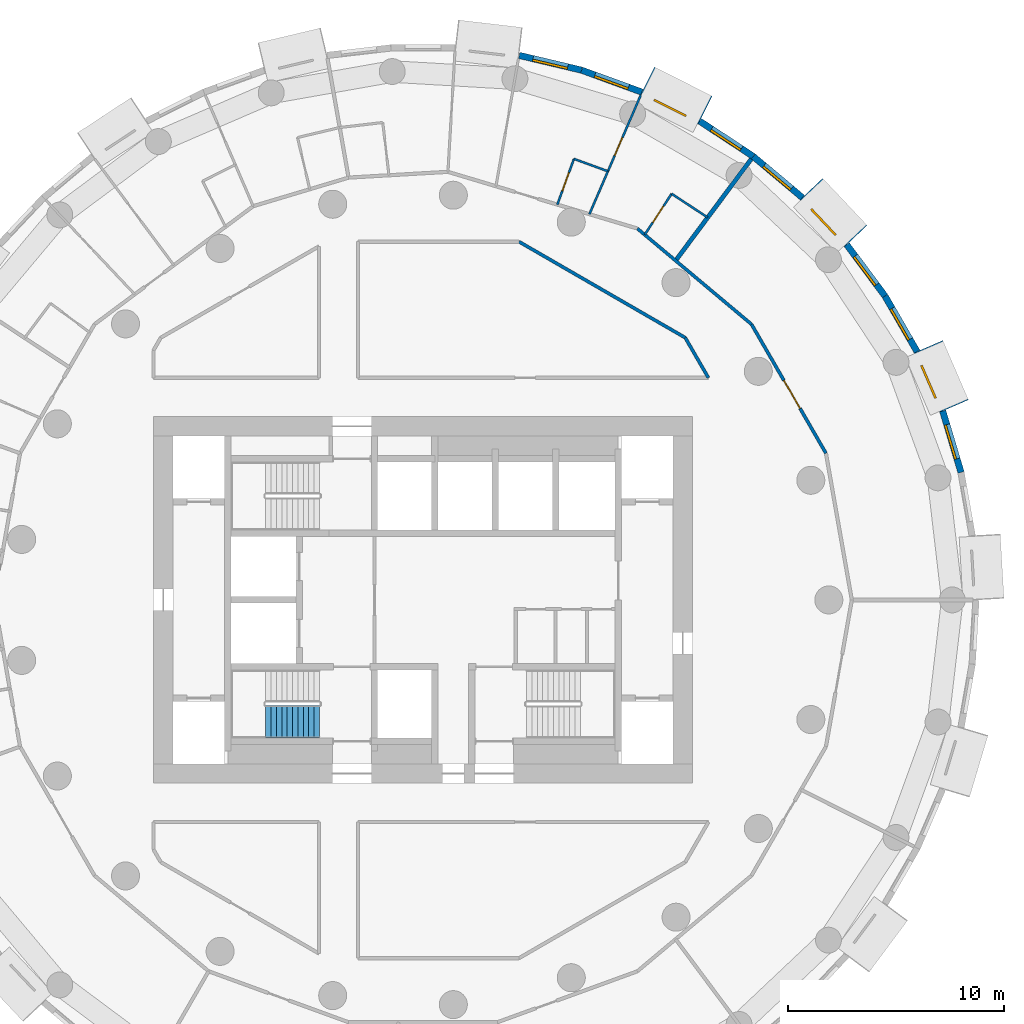
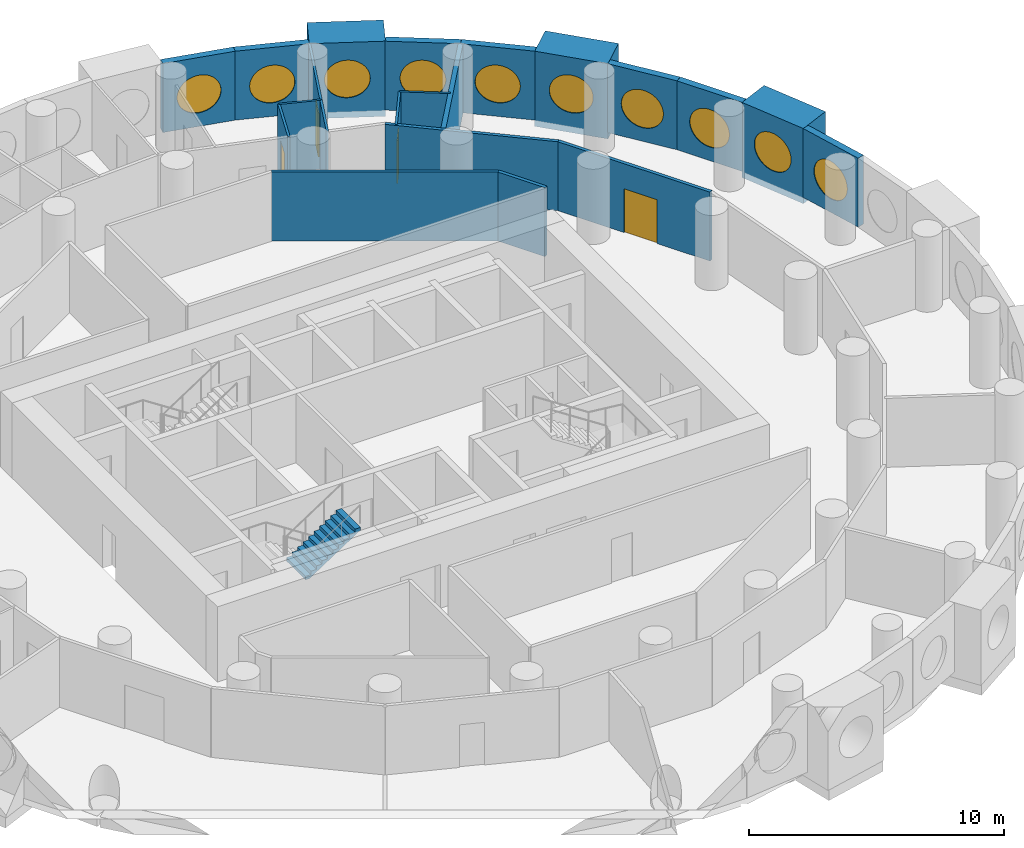
# One storey, part 8 of 10: 21 walls, 10 windows, 4 doors, 1 stair flight, 14 openings, 1 element without a shape of its own.
"""IFC4 building model written with IfcOpenShell, lengths in metres."""

from ifc_helpers import new_model, si_unit, direction, frame, frame_2d, origin, origin_2d, place, context, subcontext, project, spatial, polyline, rectangle, circle, outline, extrude, material, layer, layer_set, type_object, element, fill, aggregate, save


model = new_model("IFC4")

# Units and contexts
model_context = context("Model", 3, precision=1e-05, world=origin(), true_north=direction((0.0, 1.0)))
body_context = subcontext(model_context, "Body", "Model", "MODEL_VIEW")
ifc_project = project(units=[si_unit("LENGTHUNIT", "METRE"), si_unit("AREAUNIT", "SQUARE_METRE"), si_unit("VOLUMEUNIT", "CUBIC_METRE"), si_unit("PLANEANGLEUNIT", "RADIAN"), si_unit("MASSUNIT", "GRAM", prefix="KILO")], contexts=[model_context])

# Site, building, storey
site_placement = place(None, origin())
site = spatial("IfcSite", under=ifc_project, at=site_placement, CompositionType="ELEMENT")
building_placement = place(site_placement, origin())
building = spatial("IfcBuilding", under=site, at=building_placement, Name="Tracery Tower", CompositionType="ELEMENT")
storey_placement = place(building_placement, frame((0.0, 0.0, 140.39990234375)))
storey = spatial("IfcBuildingStorey", under=building, at=storey_placement, Name="L35", CompositionType="ELEMENT", Elevation=140.39990234375)

# Wall, opening, window
ifc_material_1 = material(Name="Precast concrete C50/60", Category="concrete")
ifc_layer_1 = layer(ifc_material_1, 1.449951171875)
ifc_layer_set_1 = layer_set([ifc_layer_1], Name="Deep-set bay unit 3000 x 3600, slab edge 300")
wall_type_1 = type_object("IfcWallType", Name="Deep-set bay unit 3000 x 3600, slab edge 300", PredefinedType="ELEMENTEDWALL", material=ifc_layer_set_1)
wall_1_placement = place(storey_placement, frame((24.632080078125, 8.99169921875, -0.2998046875), z_axis=(0.0, 0.0, 1.0), x_axis=(-0.396079003245, 0.918216435917, 0.0)))
wall_1 = element("IfcWall", 1, at=wall_1_placement, inside=storey, type_object=wall_type_1, Name="Deep-set bay unit 4 at L35", PredefinedType="ELEMENTEDWALL", context=body_context, shape_type="SweptSolid", body=[
    extrude(rectangle(XDim=3.0, YDim=1.449951171875, at=frame_2d((1.5, 0.0))), origin(), (0.0, 0.0, 1.0), 3.599853515625),
])
opening_1_placement = place(wall_1_placement, frame((1.5, 0.0, 1.85009765625)))
opening_1 = element("IfcOpeningElement", 2, at=opening_1_placement, cuts=wall_1, Name="Opening WN1", PredefinedType="OPENING", context=body_context, shape_type="SweptSolid", body=[
    extrude(circle(Radius=0.9000244140625, at=origin_2d()), frame((0.0, 0.73486328125, 0.0), z_axis=(0.0, -1.0, 0.0), x_axis=(1.0, 0.0, 0.0)), (0.0, 0.0, 1.0), 1.469970703125),
])
ifc_material_2 = material(Name="Aluminium frame with tinted double glazing", Category="aluminium")
window_type = type_object("IfcWindowType", Name="Round window 1800", PartitioningType="SINGLE_PANEL", PredefinedType="WINDOW", material=ifc_material_2)
window_1_placement = place(opening_1_placement, origin())
window_1 = element("IfcWindow", 3, at=window_1_placement, inside=storey, type_object=window_type, Name="Round window 4 at L35", OverallHeight=1.800048828125, OverallWidth=1.800048828125, PartitioningType="SINGLE_PANEL", PredefinedType="WINDOW", context=body_context, shape_type="SweptSolid", body=[
    extrude(circle(Radius=0.9000244140625, at=origin_2d()), frame((0.0, 0.69482421875, 0.0), z_axis=(0.0, -1.0, 0.0), x_axis=(1.0, 0.0, 0.0)), (0.0, 0.0, 1.0), 0.10009765625),
])
fill(opening_1, window_1)

wall_2_placement = place(storey_placement, frame((20.0712890625, 16.8740234375, -0.2998046875), z_axis=(0.0, 0.0, 1.0), x_axis=(-0.686217177108, 0.727396718334, 0.0)))
wall_2 = element("IfcWall", 4, at=wall_2_placement, inside=storey, type_object=wall_type_1, Name="Deep-set bay unit 7 at L35", PredefinedType="ELEMENTEDWALL", context=body_context, shape_type="SweptSolid", body=[
    extrude(rectangle(XDim=3.0, YDim=1.449951171875, at=frame_2d((1.5, 0.0))), origin(), (0.0, 0.0, 1.0), 3.599853515625),
])
opening_2_placement = place(wall_2_placement, frame((1.5, 0.0, 1.85009765625)))
opening_2 = element("IfcOpeningElement", 5, at=opening_2_placement, cuts=wall_2, Name="Opening WN1", PredefinedType="OPENING", context=body_context, shape_type="SweptSolid", body=[
    extrude(circle(Radius=0.9000244140625, at=origin_2d()), frame((0.0, 0.73486328125, 0.0), z_axis=(0.0, -1.0, 0.0), x_axis=(1.0, 0.0, 0.0)), (0.0, 0.0, 1.0), 1.469970703125),
])
window_2_placement = place(opening_2_placement, origin())
window_2 = element("IfcWindow", 6, at=window_2_placement, inside=storey, type_object=window_type, Name="Round window 7 at L35", OverallHeight=1.800048828125, OverallWidth=1.800048828125, PartitioningType="SINGLE_PANEL", PredefinedType="WINDOW", context=body_context, shape_type="SweptSolid", body=[
    extrude(circle(Radius=0.9000244140625, at=origin_2d()), frame((0.0, 0.69482421875, 0.0), z_axis=(0.0, -1.0, 0.0), x_axis=(1.0, 0.0, 0.0)), (0.0, 0.0, 1.0), 0.10009765625),
])
fill(opening_2, window_2)

wall_3_placement = place(storey_placement, frame((13.089599609375, 22.72119140625, -0.2998046875), z_axis=(0.0, 0.0, 1.0), x_axis=(-0.893628249713, 0.448807922518, 0.0)))
wall_3 = element("IfcWall", 7, at=wall_3_placement, inside=storey, type_object=wall_type_1, Name="Deep-set bay unit 10 at L35", PredefinedType="ELEMENTEDWALL", context=body_context, shape_type="SweptSolid", body=[
    extrude(rectangle(XDim=3.0, YDim=1.449951171875, at=frame_2d((1.5, 0.0))), origin(), (0.0, 0.0, 1.0), 3.599853515625),
])
opening_3_placement = place(wall_3_placement, frame((1.5, 0.0, 1.85009765625)))
opening_3 = element("IfcOpeningElement", 8, at=opening_3_placement, cuts=wall_3, Name="Opening WN1", PredefinedType="OPENING", context=body_context, shape_type="SweptSolid", body=[
    extrude(circle(Radius=0.9000244140625, at=origin_2d()), frame((0.0, 0.73486328125, 0.0), z_axis=(0.0, -1.0, 0.0), x_axis=(1.0, 0.0, 0.0)), (0.0, 0.0, 1.0), 1.469970703125),
])
window_3_placement = place(opening_3_placement, origin())
window_3 = element("IfcWindow", 9, at=window_3_placement, inside=storey, type_object=window_type, Name="Round window 10 at L35", OverallHeight=1.800048828125, OverallWidth=1.800048828125, PartitioningType="SINGLE_PANEL", PredefinedType="WINDOW", context=body_context, shape_type="SweptSolid", body=[
    extrude(circle(Radius=0.9000244140625, at=origin_2d()), frame((0.0, 0.69482421875, 0.0), z_axis=(0.0, -1.0, 0.0), x_axis=(1.0, 0.0, 0.0)), (0.0, 0.0, 1.0), 0.10009765625),
])
fill(opening_3, window_3)

ifc_material_3 = material(Name="Precast concrete C50/60", Category="concrete")
ifc_layer_2 = layer(ifc_material_3, 0.300048828125)
ifc_layer_set_2 = layer_set([ifc_layer_2], Name="Facade panel 3000 x 3300")
wall_type_2 = type_object("IfcWallType", Name="Facade panel 3000 x 3300", PredefinedType="SOLIDWALL", material=ifc_layer_set_2)
wall_4_placement = place(storey_placement, frame((24.9560546875, 5.914794921875, 0.0), z_axis=(0.0, 0.0, 1.0), x_axis=(-0.286782750849, 0.957995643944, 0.0)))
wall_4 = element("IfcWall", 10, at=wall_4_placement, inside=storey, type_object=wall_type_2, Name="Facade panel 3 at L35", PredefinedType="SOLIDWALL", context=body_context, shape_type="SweptSolid", body=[
    extrude(rectangle(XDim=2.97265625, YDim=0.300048828125, at=frame_2d((1.486328125, 0.0))), origin(), (0.0, 0.0, 1.0), 3.300048828125),
])
opening_4_placement = place(wall_4_placement, frame((1.486328125, 0.0, 1.5498046875)))
opening_4 = element("IfcOpeningElement", 11, at=opening_4_placement, cuts=wall_4, Name="Opening WN1", PredefinedType="OPENING", context=body_context, shape_type="SweptSolid", body=[
    extrude(circle(Radius=0.9000244140625, at=origin_2d()), frame((0.0, 0.159912109375, 0.0), z_axis=(0.0, -1.0, 0.0), x_axis=(1.0, 0.0, 0.0)), (0.0, 0.0, 1.0), 0.320068359375),
])
window_4_placement = place(opening_4_placement, origin())
window_4 = element("IfcWindow", 12, at=window_4_placement, inside=storey, type_object=window_type, Name="Round window 3 at L35", OverallHeight=1.800048828125, OverallWidth=1.800048828125, PartitioningType="SINGLE_PANEL", PredefinedType="WINDOW", context=body_context, shape_type="SweptSolid", body=[
    extrude(circle(Radius=0.9000244140625, at=origin_2d()), frame((0.0, 0.1201171875, 0.0), z_axis=(0.0, -1.0, 0.0), x_axis=(1.0, 0.0, 0.0)), (0.0, 0.0, 1.0), 0.10009765625),
])
fill(opening_4, window_4)

wall_5_placement = place(storey_placement, frame((22.91455078125, 11.518798828125, 0.0), z_axis=(0.0, 0.0, 1.0), x_axis=(-0.499954672104, 0.866051572276, 0.0)))
wall_5 = element("IfcWall", 13, at=wall_5_placement, inside=storey, type_object=wall_type_2, Name="Facade panel 5 at L35", PredefinedType="SOLIDWALL", context=body_context, shape_type="SweptSolid", body=[
    extrude(rectangle(XDim=2.972900390625, YDim=0.300048828125, at=frame_2d((1.486328125, 0.0))), origin(), (0.0, 0.0, 1.0), 3.300048828125),
])
opening_5_placement = place(wall_5_placement, frame((1.486328125, 0.0, 1.5498046875)))
opening_5 = element("IfcOpeningElement", 14, at=opening_5_placement, cuts=wall_5, Name="Opening WN1", PredefinedType="OPENING", context=body_context, shape_type="SweptSolid", body=[
    extrude(circle(Radius=0.9000244140625, at=origin_2d()), frame((0.0, 0.159912109375, 0.0), z_axis=(0.0, -1.0, 0.0), x_axis=(1.0, 0.0, 0.0)), (0.0, 0.0, 1.0), 0.320068359375),
])
window_5_placement = place(opening_5_placement, origin())
window_5 = element("IfcWindow", 15, at=window_5_placement, inside=storey, type_object=window_type, Name="Round window 5 at L35", OverallHeight=1.800048828125, OverallWidth=1.800048828125, PartitioningType="SINGLE_PANEL", PredefinedType="WINDOW", context=body_context, shape_type="SweptSolid", body=[
    extrude(circle(Radius=0.9000244140625, at=origin_2d()), frame((0.0, 0.1201171875, 0.0), z_axis=(0.0, -1.0, 0.0), x_axis=(1.0, 0.0, 0.0)), (0.0, 0.0, 1.0), 0.10009765625),
])
fill(opening_5, window_5)

wall_6_placement = place(storey_placement, frame((21.42822265625, 14.093505859375, 0.0), z_axis=(0.0, 0.0, 1.0), x_axis=(-0.597197580538, 0.80209416517, 0.0)))
wall_6 = element("IfcWall", 16, at=wall_6_placement, inside=storey, type_object=wall_type_2, Name="Facade panel 6 at L35", PredefinedType="SOLIDWALL", context=body_context, shape_type="SweptSolid", body=[
    extrude(rectangle(XDim=2.972900390625, YDim=0.300048828125, at=frame_2d((1.486328125, 0.0))), origin(), (0.0, 0.0, 1.0), 3.300048828125),
])
opening_6_placement = place(wall_6_placement, frame((1.486328125, 0.0, 1.5498046875)))
opening_6 = element("IfcOpeningElement", 17, at=opening_6_placement, cuts=wall_6, Name="Opening WN1", PredefinedType="OPENING", context=body_context, shape_type="SweptSolid", body=[
    extrude(circle(Radius=0.9000244140625, at=origin_2d()), frame((0.0, 0.159912109375, 0.0), z_axis=(0.0, -1.0, 0.0), x_axis=(1.0, 0.0, 0.0)), (0.0, 0.0, 1.0), 0.320068359375),
])
window_6_placement = place(opening_6_placement, origin())
window_6 = element("IfcWindow", 18, at=window_6_placement, inside=storey, type_object=window_type, Name="Round window 6 at L35", OverallHeight=1.800048828125, OverallWidth=1.800048828125, PartitioningType="SINGLE_PANEL", PredefinedType="WINDOW", context=body_context, shape_type="SweptSolid", body=[
    extrude(circle(Radius=0.9000244140625, at=origin_2d()), frame((0.0, 0.1201171875, 0.0), z_axis=(0.0, -1.0, 0.0), x_axis=(1.0, 0.0, 0.0)), (0.0, 0.0, 1.0), 0.10009765625),
])
fill(opening_6, window_6)

wall_7_placement = place(storey_placement, frame((17.593017578125, 18.661376953125, 0.0), z_axis=(0.0, 0.0, 1.0), x_axis=(-0.766008913364, 0.642829950023, 0.0)))
wall_7 = element("IfcWall", 19, at=wall_7_placement, inside=storey, type_object=wall_type_2, Name="Facade panel 8 at L35", PredefinedType="SOLIDWALL", context=body_context, shape_type="SweptSolid", body=[
    extrude(rectangle(XDim=2.972900390625, YDim=0.300048828125, at=frame_2d((1.486328125, 0.0))), origin(), (0.0, 0.0, 1.0), 3.300048828125),
])
opening_7_placement = place(wall_7_placement, frame((1.486328125, 0.0, 1.5498046875)))
opening_7 = element("IfcOpeningElement", 20, at=opening_7_placement, cuts=wall_7, Name="Opening WN1", PredefinedType="OPENING", context=body_context, shape_type="SweptSolid", body=[
    extrude(circle(Radius=0.9000244140625, at=origin_2d()), frame((0.0, 0.159912109375, 0.0), z_axis=(0.0, -1.0, 0.0), x_axis=(1.0, 0.0, 0.0)), (0.0, 0.0, 1.0), 0.320068359375),
])
window_7_placement = place(opening_7_placement, origin())
window_7 = element("IfcWindow", 21, at=window_7_placement, inside=storey, type_object=window_type, Name="Round window 8 at L35", OverallHeight=1.800048828125, OverallWidth=1.800048828125, PartitioningType="SINGLE_PANEL", PredefinedType="WINDOW", context=body_context, shape_type="SweptSolid", body=[
    extrude(circle(Radius=0.9000244140625, at=origin_2d()), frame((0.0, 0.1201171875, 0.0), z_axis=(0.0, -1.0, 0.0), x_axis=(1.0, 0.0, 0.0)), (0.0, 0.0, 1.0), 0.10009765625),
])
fill(opening_7, window_7)

wall_8_placement = place(storey_placement, frame((15.315673828125, 20.572509765625, 0.0), z_axis=(0.0, 0.0, 1.0), x_axis=(-0.835508361394, 0.54947773207, 0.0)))
wall_8 = element("IfcWall", 22, at=wall_8_placement, inside=storey, type_object=wall_type_2, Name="Facade panel 9 at L35", PredefinedType="SOLIDWALL", context=body_context, shape_type="SweptSolid", body=[
    extrude(rectangle(XDim=2.972900390625, YDim=0.300048828125, at=frame_2d((1.486328125, 0.0))), origin(), (0.0, 0.0, 1.0), 3.300048828125),
])
opening_8_placement = place(wall_8_placement, frame((1.486328125, 0.0, 1.5498046875)))
opening_8 = element("IfcOpeningElement", 23, at=opening_8_placement, cuts=wall_8, Name="Opening WN1", PredefinedType="OPENING", context=body_context, shape_type="SweptSolid", body=[
    extrude(circle(Radius=0.9000244140625, at=origin_2d()), frame((0.0, 0.159912109375, 0.0), z_axis=(0.0, -1.0, 0.0), x_axis=(1.0, 0.0, 0.0)), (0.0, 0.0, 1.0), 0.320068359375),
])
window_8_placement = place(opening_8_placement, origin())
window_8 = element("IfcWindow", 24, at=window_8_placement, inside=storey, type_object=window_type, Name="Round window 9 at L35", OverallHeight=1.800048828125, OverallWidth=1.800048828125, PartitioningType="SINGLE_PANEL", PredefinedType="WINDOW", context=body_context, shape_type="SweptSolid", body=[
    extrude(circle(Radius=0.9000244140625, at=origin_2d()), frame((0.0, 0.1201171875, 0.0), z_axis=(0.0, -1.0, 0.0), x_axis=(1.0, 0.0, 0.0)), (0.0, 0.0, 1.0), 0.10009765625),
])
fill(opening_8, window_8)

wall_9_placement = place(storey_placement, frame((10.1494140625, 23.55322265625, 0.0), z_axis=(0.0, 0.0, 1.0), x_axis=(-0.939690282133, 0.342026568652, 0.0)))
wall_9 = element("IfcWall", 25, at=wall_9_placement, inside=storey, type_object=wall_type_2, Name="Facade panel 11 at L35", PredefinedType="SOLIDWALL", context=body_context, shape_type="SweptSolid", body=[
    extrude(rectangle(XDim=2.972900390625, YDim=0.300048828125, at=frame_2d((1.486328125, 0.0))), origin(), (0.0, 0.0, 1.0), 3.300048828125),
])
opening_9_placement = place(wall_9_placement, frame((1.486328125, 0.0, 1.5498046875)))
opening_9 = element("IfcOpeningElement", 26, at=opening_9_placement, cuts=wall_9, Name="Opening WN1", PredefinedType="OPENING", context=body_context, shape_type="SweptSolid", body=[
    extrude(circle(Radius=0.9000244140625, at=origin_2d()), frame((0.0, 0.159912109375, 0.0), z_axis=(0.0, -1.0, 0.0), x_axis=(1.0, 0.0, 0.0)), (0.0, 0.0, 1.0), 0.320068359375),
])
window_9_placement = place(opening_9_placement, origin())
window_9 = element("IfcWindow", 27, at=window_9_placement, inside=storey, type_object=window_type, Name="Round window 11 at L35", OverallHeight=1.800048828125, OverallWidth=1.800048828125, PartitioningType="SINGLE_PANEL", PredefinedType="WINDOW", context=body_context, shape_type="SweptSolid", body=[
    extrude(circle(Radius=0.9000244140625, at=origin_2d()), frame((0.0, 0.1201171875, 0.0), z_axis=(0.0, -1.0, 0.0), x_axis=(1.0, 0.0, 0.0)), (0.0, 0.0, 1.0), 0.10009765625),
])
fill(opening_9, window_9)

wall_10_placement = place(storey_placement, frame((7.355712890625, 24.570068359375, 0.0), z_axis=(0.0, 0.0, 1.0), x_axis=(-0.973045378923, 0.230613725862, 0.0)))
wall_10 = element("IfcWall", 28, at=wall_10_placement, inside=storey, type_object=wall_type_2, Name="Facade panel 12 at L35", PredefinedType="SOLIDWALL", context=body_context, shape_type="SweptSolid", body=[
    extrude(rectangle(XDim=2.97265625, YDim=0.300048828125, at=frame_2d((1.486328125, 0.0))), origin(), (0.0, 0.0, 1.0), 3.300048828125),
])
opening_10_placement = place(wall_10_placement, frame((1.486328125, 0.0, 1.5498046875)))
opening_10 = element("IfcOpeningElement", 29, at=opening_10_placement, cuts=wall_10, Name="Opening WN1", PredefinedType="OPENING", context=body_context, shape_type="SweptSolid", body=[
    extrude(circle(Radius=0.9000244140625, at=origin_2d()), frame((0.0, 0.159912109375, 0.0), z_axis=(0.0, -1.0, 0.0), x_axis=(1.0, 0.0, 0.0)), (0.0, 0.0, 1.0), 0.320068359375),
])
window_10_placement = place(opening_10_placement, origin())
window_10 = element("IfcWindow", 30, at=window_10_placement, inside=storey, type_object=window_type, Name="Round window 12 at L35", OverallHeight=1.800048828125, OverallWidth=1.800048828125, PartitioningType="SINGLE_PANEL", PredefinedType="WINDOW", context=body_context, shape_type="SweptSolid", body=[
    extrude(circle(Radius=0.9000244140625, at=origin_2d()), frame((0.0, 0.1201171875, 0.0), z_axis=(0.0, -1.0, 0.0), x_axis=(1.0, 0.0, 0.0)), (0.0, 0.0, 1.0), 0.10009765625),
])
fill(opening_10, window_10)

# Wall, opening, door
ifc_material_4 = material(Name="Plasterboard on steel studs", Category="steel")
ifc_layer_3 = layer(ifc_material_4, 0.10009765625)
ifc_layer_set_3 = layer_set([ifc_layer_3], Name="Partition 100 stud")
wall_type_3 = type_object("IfcWallType", Name="Partition 100 stud", PredefinedType="PARTITIONING", material=ifc_layer_set_3)
wall_11_placement = place(storey_placement, frame((8.575927734375, 19.881103515625, 0.0), z_axis=(0.0, 0.0, 1.0), x_axis=(0.396094260049, 0.918209854639, 0.0)))
wall_11 = element("IfcWall", 31, at=wall_11_placement, inside=storey, type_object=wall_type_3, Name="Stud partition RB2-045", PredefinedType="PARTITIONING", context=body_context, shape_type="SweptSolid", body=[
    extrude(rectangle(XDim=3.845458984375, YDim=0.10009765625, at=frame_2d((1.9228515625, 0.0))), origin(), (0.0, 0.0, 1.0), 3.300048828125),
])
opening_11_placement = place(wall_11_placement, frame((0.79541015625, 0.0, 0.0)))
opening_11 = element("IfcOpeningElement", 32, at=opening_11_placement, cuts=wall_11, Name="Opening RB2-09", PredefinedType="OPENING", context=body_context, shape_type="SweptSolid", body=[
    extrude(rectangle(XDim=0.89990234375, YDim=2.10009765625, at=frame_2d((0.449951171875, 1.050048828125))), frame((0.0, 0.050048828125, 0.0), z_axis=(0.0, -1.0, 0.0), x_axis=(1.0, 0.0, 0.0)), (0.0, 0.0, 1.0), 0.10009765625),
])
ifc_material_5 = material(Name="Timber door leaf", Category="wood")
door_type_1 = type_object("IfcDoorType", Name="Door bedroom 900", OperationType="NOTDEFINED", PredefinedType="DOOR", material=ifc_material_5)
door_1_placement = place(opening_11_placement, origin())
door_1 = element("IfcDoor", 33, at=door_1_placement, inside=storey, type_object=door_type_1, Name="Bedroom door RB2-09", OperationType="SINGLE_SWING_RIGHT", OverallHeight=2.10009765625, OverallWidth=0.89990234375, PredefinedType="DOOR", context=body_context, shape_type="SweptSolid", body=[
    extrude(rectangle(XDim=0.89990234375, YDim=2.10009765625, at=frame_2d((0.449951171875, 1.050048828125))), frame((0.0, 0.02490234375, 0.0), z_axis=(0.0, -1.0, 0.0), x_axis=(1.0, 0.0, 0.0)), (0.0, 0.0, 1.0), 0.050048828125),
])
fill(opening_11, door_1)

# Wall
ifc_material_6 = material(Name="Plasterboard on steel studs", Category="steel")
ifc_layer_4 = layer(ifc_material_6, 0.10009765625)
ifc_layer_set_4 = layer_set([ifc_layer_4], Name="Partition 100 wet wall")
wall_type_4 = type_object("IfcWallType", Name="Partition 100 wet wall", PredefinedType="PARTITIONING", material=ifc_layer_set_4)
wall_12_placement = place(storey_placement, frame((7.0009765625, 20.455078125, 0.0), z_axis=(0.0, 0.0, 1.0), x_axis=(0.939550801119, -0.342409538588, 0.0)))
element("IfcWall", 34, at=wall_12_placement, inside=storey, type_object=wall_type_4, Name="Wet wall RB2-043", PredefinedType="PARTITIONING", context=body_context, shape_type="SweptSolid", body=[
    extrude(rectangle(XDim=1.67626953125, YDim=0.10009765625, at=frame_2d((0.838134765625, 0.0))), origin(), (0.0, 0.0, 1.0), 3.300048828125),
])

# Wall, opening, door
wall_13_placement = place(storey_placement, frame((6.22900390625, 18.3349609375, 0.0), z_axis=(0.0, 0.0, 1.0), x_axis=(0.342142678062, 0.939648012741, 0.0)))
wall_13 = element("IfcWall", 35, at=wall_13_placement, inside=storey, type_object=wall_type_4, Name="Wet wall RB2-044", PredefinedType="PARTITIONING", context=body_context, shape_type="SweptSolid", body=[
    extrude(rectangle(XDim=2.25634765625, YDim=0.10009765625, at=frame_2d((1.128173828125, 0.0))), origin(), (0.0, 0.0, 1.0), 3.300048828125),
])
opening_12_placement = place(wall_13_placement, frame((0.67822265625, 0.0, 0.0)))
opening_12 = element("IfcOpeningElement", 36, at=opening_12_placement, cuts=wall_13, Name="Opening RB2-08", PredefinedType="OPENING", context=body_context, shape_type="SweptSolid", body=[
    extrude(rectangle(XDim=0.89990234375, YDim=2.0, at=frame_2d((0.449951171875, 1.0))), frame((0.0, 0.050048828125, 0.0), z_axis=(0.0, -1.0, 0.0), x_axis=(1.0, 0.0, 0.0)), (0.0, 0.0, 1.0), 0.10009765625),
])
ifc_material_7 = material(Name="Timber door leaf", Category="wood")
door_type_2 = type_object("IfcDoorType", Name="Door shower room 900", OperationType="NOTDEFINED", PredefinedType="DOOR", material=ifc_material_7)
door_2_placement = place(opening_12_placement, origin())
door_2 = element("IfcDoor", 37, at=door_2_placement, inside=storey, type_object=door_type_2, Name="Shower room door RB2-08", OperationType="SINGLE_SWING_LEFT", OverallHeight=2.0, OverallWidth=0.89990234375, PredefinedType="DOOR", context=body_context, shape_type="SweptSolid", body=[
    extrude(rectangle(XDim=0.89990234375, YDim=2.0, at=frame_2d((0.449951171875, 1.0))), frame((0.0, 0.02490234375, 0.0), z_axis=(0.0, -1.0, 0.0), x_axis=(1.0, 0.0, 0.0)), (0.0, 0.0, 1.0), 0.050048828125),
])
fill(opening_12, door_2)

# Walls
wall_14_placement = place(storey_placement, frame((7.717041015625, 17.889892578125, 0.0), z_axis=(0.0, 0.0, 1.0), x_axis=(0.396065054916, 0.9182224525, 0.0)))
element("IfcWall", 38, at=wall_14_placement, inside=storey, type_object=wall_type_4, Name="Wet wall RB2-047", PredefinedType="PARTITIONING", context=body_context, shape_type="SweptSolid", body=[
    extrude(rectangle(XDim=2.16845703125, YDim=0.10009765625, at=frame_2d((1.084228515625, 0.0))), origin(), (0.0, 0.0, 1.0), 3.300048828125),
])
wall_15_placement = place(storey_placement, frame((11.531005859375, 18.8369140625, 0.0), z_axis=(0.0, 0.0, 1.0), x_axis=(0.835392041163, -0.549654562032, 0.0)))
element("IfcWall", 39, at=wall_15_placement, inside=storey, type_object=wall_type_4, Name="Wet wall RB2-048", PredefinedType="PARTITIONING", context=body_context, shape_type="SweptSolid", body=[
    extrude(rectangle(XDim=2.002685546875, YDim=0.10009765625, at=frame_2d((1.00146484375, 0.0))), origin(), (0.0, 0.0, 1.0), 3.300048828125),
])

# Wall, opening, door
wall_16_placement = place(storey_placement, frame((10.281982421875, 16.93896484375, 0.0), z_axis=(0.0, 0.0, 1.0), x_axis=(0.549730960803, 0.83534176882, 0.0)))
wall_16 = element("IfcWall", 40, at=wall_16_placement, inside=storey, type_object=wall_type_4, Name="Wet wall RB2-049", PredefinedType="PARTITIONING", context=body_context, shape_type="SweptSolid", body=[
    extrude(rectangle(XDim=2.27197265625, YDim=0.10009765625, at=frame_2d((1.135986328125, 0.0))), origin(), (0.0, 0.0, 1.0), 3.300048828125),
])
opening_13_placement = place(wall_16_placement, frame((0.68603515625, 0.0, 0.0)))
opening_13 = element("IfcOpeningElement", 41, at=opening_13_placement, cuts=wall_16, Name="Opening RB2-10", PredefinedType="OPENING", context=body_context, shape_type="SweptSolid", body=[
    extrude(rectangle(XDim=0.89990234375, YDim=2.0400390625, at=frame_2d((0.449951171875, 1.02001953125))), frame((0.0, 0.050048828125, 0.0), z_axis=(0.0, -1.0, 0.0), x_axis=(1.0, 0.0, 0.0)), (0.0, 0.0, 1.0), 0.10009765625),
])
ifc_material_8 = material(Name="Timber door leaf", Category="wood")
door_type_3 = type_object("IfcDoorType", Name="Door en-suite 900", OperationType="NOTDEFINED", PredefinedType="DOOR", material=ifc_material_8)
door_3_placement = place(opening_13_placement, origin())
door_3 = element("IfcDoor", 42, at=door_3_placement, inside=storey, type_object=door_type_3, Name="En-suite door RB2-10", OperationType="SINGLE_SWING_LEFT", OverallHeight=2.0400390625, OverallWidth=0.89990234375, PredefinedType="DOOR", context=body_context, shape_type="SweptSolid", body=[
    extrude(rectangle(XDim=0.89990234375, YDim=2.0400390625, at=frame_2d((0.449951171875, 1.02001953125))), frame((0.0, 0.02490234375, 0.0), z_axis=(0.0, -1.0, 0.0), x_axis=(1.0, 0.0, 0.0)), (0.0, 0.0, 1.0), 0.050048828125),
])
fill(opening_13, door_3)

# Walls
ifc_material_9 = material(Name="Plasterboard on steel studs", Category="steel")
ifc_layer_5 = layer(ifc_material_9, 0.14990234375)
ifc_layer_set_5 = layer_set([ifc_layer_5], Name="Partition 150 corridor wall")
wall_type_5 = type_object("IfcWallType", Name="Partition 150 corridor wall", PredefinedType="PARTITIONING", material=ifc_layer_set_5)
wall_17_placement = place(storey_placement, frame((12.162109375, 12.162109375, 0.0), z_axis=(0.0, 0.0, 1.0), x_axis=(0.499961633463, -0.866047553582, 0.0)))
element("IfcWall", 43, at=wall_17_placement, inside=storey, type_object=wall_type_5, Name="Corridor wall RB2-005", PredefinedType="PARTITIONING", context=body_context, shape_type="SweptSolid", body=[
    extrude(rectangle(XDim=2.150146484375, YDim=0.14990234375, at=frame_2d((1.0751953125, 0.0))), origin(), (0.0, 0.0, 1.0), 3.300048828125),
])
wall_18_placement = place(storey_placement, frame((9.943359375, 17.22216796875, 0.0), z_axis=(0.0, 0.0, 1.0), x_axis=(0.766192104565, -0.642611592567, 0.0)))
element("IfcWall", 44, at=wall_18_placement, inside=storey, type_object=wall_type_5, Name="Corridor wall RB2-007", PredefinedType="PARTITIONING", context=body_context, shape_type="SweptSolid", body=[
    extrude(rectangle(XDim=6.906494140625, YDim=0.14990234375, at=frame_2d((3.453125, 0.0))), origin(), (0.0, 0.0, 1.0), 3.300048828125),
])

# Wall, opening, door
wall_19_placement = place(storey_placement, frame((15.235107421875, 12.783935546875, 0.0), z_axis=(0.0, 0.0, 1.0), x_axis=(0.499914202267, -0.866074933462, 0.0)))
wall_19 = element("IfcWall", 45, at=wall_19_placement, inside=storey, type_object=wall_type_5, Name="Corridor wall RB2-008", PredefinedType="PARTITIONING", context=body_context, shape_type="SweptSolid", body=[
    extrude(rectangle(XDim=6.906982421875, YDim=0.14990234375, at=frame_2d((3.45361328125, 0.0))), origin(), (0.0, 0.0, 1.0), 3.300048828125),
])
opening_14_placement = place(wall_19_placement, frame((3.00390625, 0.0, 0.0)))
opening_14 = element("IfcOpeningElement", 46, at=opening_14_placement, cuts=wall_19, Name="Opening RB2-05", PredefinedType="OPENING", context=body_context, shape_type="SweptSolid", body=[
    extrude(rectangle(XDim=1.5, YDim=2.10009765625, at=frame_2d((0.75, 1.050048828125))), frame((0.0, 0.074951171875, 0.0), z_axis=(0.0, -1.0, 0.0), x_axis=(1.0, 0.0, 0.0)), (0.0, 0.0, 1.0), 0.14990234375),
])
ifc_material_10 = material(Name="Timber door leaf", Category="wood")
door_type_4 = type_object("IfcDoorType", Name="Door double kitchen 1500", OperationType="NOTDEFINED", PredefinedType="DOOR", material=ifc_material_10)
door_4_placement = place(opening_14_placement, origin())
door_4 = element("IfcDoor", 47, at=door_4_placement, inside=storey, type_object=door_type_4, Name="Double kitchen door RB2-05", OperationType="DOUBLE_DOOR_SINGLE_SWING", OverallHeight=2.10009765625, OverallWidth=1.5, PredefinedType="DOOR", context=body_context, shape_type="SweptSolid", body=[
    extrude(rectangle(XDim=1.5, YDim=2.10009765625, at=frame_2d((0.75, 1.050048828125))), frame((0.0, 0.02490234375, 0.0), z_axis=(0.0, -1.0, 0.0), x_axis=(1.0, 0.0, 0.0)), (0.0, 0.0, 1.0), 0.050048828125),
])
fill(opening_14, door_4)

# Walls
wall_20_placement = place(storey_placement, frame((4.451904296875, 16.614013671875, 0.0), z_axis=(0.0, 0.0, 1.0), x_axis=(0.866005203721, -0.500034985904, 0.0)))
element("IfcWall", 48, at=wall_20_placement, inside=storey, type_object=wall_type_5, Name="Corridor wall RB2-015", PredefinedType="PARTITIONING", context=body_context, shape_type="SweptSolid", body=[
    extrude(rectangle(XDim=8.903076171875, YDim=0.14990234375, at=frame_2d((4.45166015625, 0.0))), origin(), (0.0, 0.0, 1.0), 3.300048828125),
])
ifc_material_11 = material(Name="Plasterboard on steel studs", Category="steel")
ifc_layer_6 = layer(ifc_material_11, 0.199951171875)
ifc_layer_set_6 = layer_set([ifc_layer_6], Name="Partition 200 compartment wall")
wall_type_6 = type_object("IfcWallType", Name="Partition 200 compartment wall", PredefinedType="PARTITIONING", material=ifc_layer_set_6)
wall_21_placement = place(storey_placement, frame((11.716064453125, 15.73681640625, 0.0), z_axis=(0.0, 0.0, 1.0), x_axis=(0.597131981171, 0.802143002876, 0.0)))
element("IfcWall", 49, at=wall_21_placement, inside=storey, type_object=wall_type_6, Name="Compartment wall RB2-040", PredefinedType="PARTITIONING", context=body_context, shape_type="SweptSolid", body=[
    extrude(rectangle(XDim=5.878173828125, YDim=0.199951171875, at=frame_2d((2.93896484375, 0.0))), origin(), (0.0, 0.0, 1.0), 3.300048828125),
])

# Stair, stair flight
ifc_material_12 = material(Name="Concrete C32/40", Category="concrete")
stair_type = type_object("IfcStairType", Name="Core stair 22 risers", PredefinedType="HALF_TURN_STAIR", material=ifc_material_12)
stair_placement = place(storey_placement, origin())
stair = element("IfcStair", 50, at=stair_placement, inside=storey, type_object=stair_type, Name="L35 stair ST1", PredefinedType="HALF_TURN_STAIR")
ifc_material_13 = material(Name="Concrete C32/40", Category="concrete")
stair_flight_type = type_object("IfcStairFlightType", Name="Core stair flight 11 risers", PredefinedType="STRAIGHT", material=ifc_material_13)
stair_flight_placement = place(storey_placement, frame((-7.300048828125, -5.64990234375, 1.800048828125), z_axis=(0.0, 0.0, 1.0), x_axis=(1.0, 0.0, 0.0)))
stair_flight = element("IfcStairFlight", 51, at=stair_flight_placement, type_object=stair_flight_type, Name="ST1 flight 2", NumberOfRisers=11, NumberOfTreads=10, PredefinedType="STRAIGHT", RiserHeight=0.163636364, TreadLength=0.25, context=body_context, shape_type="SweptSolid", body=[
    extrude(outline(polyline([(0.0, 0.0), (0.0, 0.002685546875), (0.0, 0.00537109375), (0.0, 0.008056640625), (0.0, 0.0107421875), (0.0, 0.013427734375), (0.0, 0.01611328125), (0.0, 0.018798828125), (0.0, 0.021484375), (0.0, 0.024169921875), (0.0, 0.02685546875), (0.0, 0.029541015625), (0.0, 0.0322265625), (0.0, 0.034912109375), (0.0, 0.03759765625), (0.0, 0.040283203125), (0.0, 0.04296875), (0.0, 0.045654296875), (0.0, 0.04833984375), (0.0, 0.051025390625), (0.0, 0.0537109375), (0.0, 0.056396484375), (0.0, 0.05908203125), (0.0, 0.061767578125), (0.0, 0.064453125), (0.0, 0.067138671875), (0.0, 0.06982421875), (0.0, 0.072509765625), (0.0, 0.0751953125), (0.0, 0.077880859375), (0.0, 0.08056640625), (0.0, 0.083251953125), (0.0, 0.0859375), (0.0, 0.088623046875), (0.0, 0.09130859375), (0.0, 0.093994140625), (0.0, 0.0966796875), (0.0, 0.099365234375), (0.0, 0.10205078125), (0.0, 0.104736328125), (0.0, 0.107421875), (0.0, 0.10986328125), (0.0, 0.112548828125), (0.0, 0.115234375), (0.0, 0.117919921875), (0.0, 0.12060546875), (0.0, 0.123291015625), (0.0, 0.1259765625), (0.0, 0.128662109375), (0.0, 0.13134765625), (0.0, 0.134033203125), (0.0, 0.13671875), (0.0, 0.139404296875), (0.0, 0.14208984375), (0.0, 0.144775390625), (0.0, 0.1474609375), (0.0, 0.150146484375), (0.0, 0.15283203125), (0.0, 0.155517578125), (0.0, 0.158203125), (0.0, 0.160888671875), (0.0, 0.16357421875), (0.25, 0.16357421875), (0.25, 0.327392578125), (0.5, 0.327392578125), (0.5, 0.490966796875), (0.75, 0.490966796875), (0.75, 0.654541015625), (1.0, 0.654541015625), (1.0, 0.818115234375), (1.25, 0.818115234375), (1.25, 0.98193359375), (1.5, 0.98193359375), (1.5, 1.1455078125), (1.75, 1.1455078125), (1.75, 1.30908203125), (2.0, 1.30908203125), (2.0, 1.47265625), (2.25, 1.47265625), (2.25, 1.636474609375), (2.5, 1.636474609375), (2.5, 1.634521484375), (2.5, 1.63232421875), (2.5, 1.63037109375), (2.5, 1.62841796875), (2.5, 1.62646484375), (2.5, 1.62451171875), (2.5, 1.62255859375), (2.5, 1.62060546875), (2.5, 1.61865234375), (2.5, 1.61669921875), (2.5, 1.61474609375), (2.5, 1.61279296875), (2.5, 1.61083984375), (2.5, 1.60888671875), (2.5, 1.60693359375), (2.5, 1.60498046875), (2.5, 1.60302734375), (2.5, 1.60107421875), (2.5, 1.59912109375), (2.5, 1.59716796875), (2.5, 1.59521484375), (2.5, 1.59326171875), (2.5, 1.59130859375), (2.5, 1.58935546875), (2.5, 1.58740234375), (2.5, 1.58544921875), (2.5, 1.58349609375), (2.5, 1.58154296875), (2.5, 1.57958984375), (2.5, 1.57763671875), (2.5, 1.57568359375), (2.5, 1.573486328125), (2.5, 1.571533203125), (2.5, 1.569580078125), (2.5, 1.567626953125), (2.5, 1.565673828125), (2.5, 1.563720703125), (2.5, 1.561767578125), (2.5, 1.559814453125), (2.5, 1.557861328125), (2.5, 1.555908203125), (2.5, 1.553955078125), (2.5, 1.552001953125), (2.5, 1.550048828125), (2.5, 1.548095703125), (2.5, 1.546142578125), (2.5, 1.544189453125), (2.5, 1.542236328125), (2.5, 1.540283203125), (2.5, 1.538330078125), (2.5, 1.536376953125), (2.5, 1.534423828125), (2.5, 1.532470703125), (2.5, 1.530517578125), (2.5, 1.528564453125), (2.5, 1.526611328125), (2.5, 1.524658203125), (2.5, 1.522705078125), (2.5, 1.520751953125), (2.5, 1.518798828125), (2.5, 1.516845703125), (0.182861328125, 0.0), (0.0, 0.0)])), frame((0.0, 0.75, 0.0), z_axis=(0.0, -1.0, 0.0), x_axis=(1.0, 0.0, 0.0)), (0.0, 0.0, 1.0), 1.5),
])
aggregate(stair, [stair_flight])

save(model, "model.ifc")
